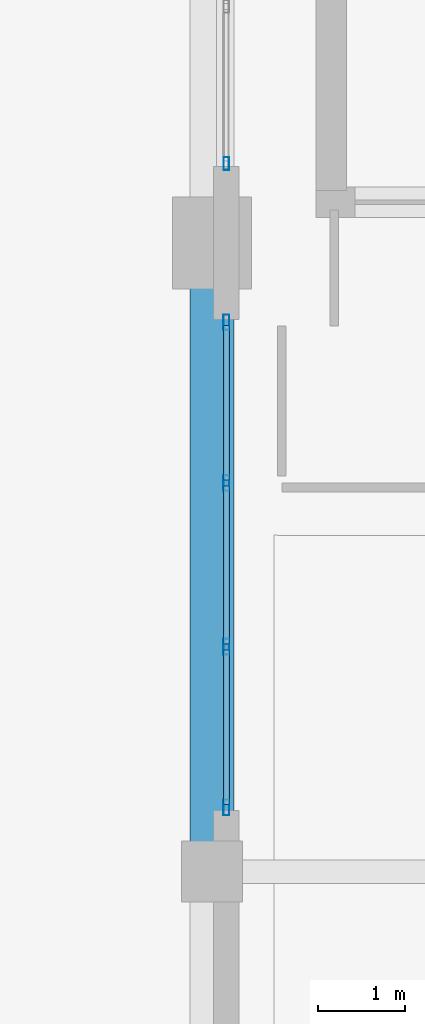
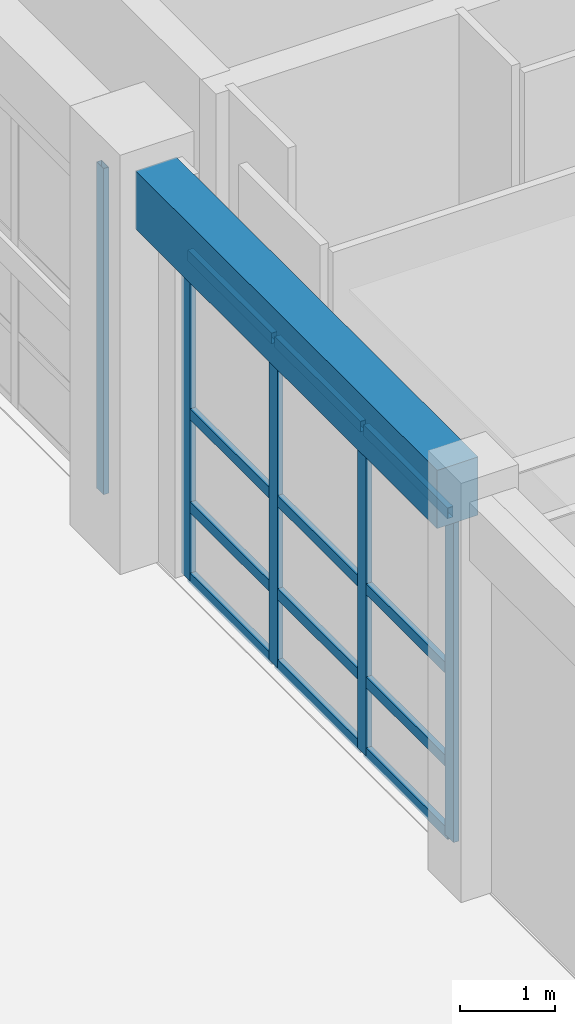
# One storey, part 53 of 148: 17 members, 1 beam, 2 elements without a shape of their own.
"""IFC4 building model written with IfcOpenShell, lengths in metres."""

from ifc_helpers import new_model, si_unit, direction, frame, origin, origin_2d, place, context, subcontext, project, spatial, rectangle, hollow_rectangle, extrude, material, layer, layer_set, material_profile, profile_set, type_object, element, aggregate, save


model = new_model("IFC4")

# Units and contexts
model_context = context("Model", 3, precision=1e-05, world=origin(), true_north=direction((0.0, 1.0)))
body_context = subcontext(model_context, "Body", "Model", "MODEL_VIEW")
ifc_project = project(units=[si_unit("LENGTHUNIT", "METRE"), si_unit("AREAUNIT", "SQUARE_METRE"), si_unit("VOLUMEUNIT", "CUBIC_METRE"), si_unit("PLANEANGLEUNIT", "RADIAN"), si_unit("MASSUNIT", "GRAM", prefix="KILO")], contexts=[model_context])

# Site, building, storey
site_placement = place(None, origin())
site = spatial("IfcSite", under=ifc_project, at=site_placement, CompositionType="ELEMENT")
building_placement = place(site_placement, origin())
building = spatial("IfcBuilding", under=site, at=building_placement, Name="Quendrovan Civic Courthouse", CompositionType="ELEMENT")
storey_placement = place(building_placement, origin())
storey = spatial("IfcBuildingStorey", under=building, at=storey_placement, Name="L01", CompositionType="ELEMENT", Elevation=0.0)

# Beam
ifc_material_1 = material(Name="Concrete C40/50", Category="concrete")
ifc_material_profile_1 = material_profile(ifc_material_1, rectangle(XDim=0.5, YDim=0.75, at=origin_2d()), Name="RC-BM-500x750")
ifc_profile_set_1 = profile_set([ifc_material_profile_1], Name="Concrete C40/50")
beam_type = type_object("IfcBeamType", Name="BM-RC750", PredefinedType="SPANDREL", material=ifc_profile_set_1)
beam_placement = place(storey_placement, frame((33.60009765625, 87.929931640625, 4.7451171875), z_axis=(0.0, 1.0, 0.0), x_axis=(-1.0, 0.0, 0.0)))
element("IfcBeam", 1, at=beam_placement, inside=storey, type_object=beam_type, Name="L01 Girder Y0407", PredefinedType="SPANDREL", context=body_context, shape_type="SweptSolid", body=[
    extrude(rectangle(XDim=0.5, YDim=0.75, at=origin_2d()), origin(), (0.0, 0.0, 1.0), 6.364990234375),
])

# Curtain wall, members
ifc_material_2 = material(Name="Bronze anodised aluminium and low-E glass", Category="aluminium")
ifc_layer_1 = layer(ifc_material_2, 0.179931640625, Name="Bronze anodised aluminium and low-E glass")
ifc_layer_set_1 = layer_set([ifc_layer_1], Name="Bronze anodised aluminium and low-E glass")
curtain_wall_type_1 = type_object("IfcCurtainWallType", Name="CW-U56x42", PredefinedType="USERDEFINED", material=ifc_layer_set_1)
curtain_wall_1_placement = place(storey_placement, origin())
curtain_wall_1 = element("IfcCurtainWall", 2, at=curtain_wall_1_placement, inside=storey, type_object=curtain_wall_type_1, Name="L01 Unitised Hurricane Curtain Wall CW-022", ObjectType="UNITISED CURTAIN WALL", PredefinedType="USERDEFINED")
ifc_material_3 = material(Name="Bronze anodised aluminium", Category="aluminium")
ifc_material_profile_2 = material_profile(ifc_material_3, hollow_rectangle(XDim=0.070068359375, YDim=0.179931640625, WallThickness=0.00390625, at=origin_2d()), Name="CW-MULL-70x180")
ifc_profile_set_2 = profile_set([ifc_material_profile_2], Name="Bronze anodised aluminium")
member_type_1 = type_object("IfcMemberType", Name="CW-MULL-A", PredefinedType="MULLION", material=ifc_profile_set_2)
member_1_placement = place(storey_placement, frame((33.764892578125, 88.3349609375, 0.0), z_axis=(0.0, 0.0, 1.0), x_axis=(-1.0, 0.0, 0.0)))
member_1 = element("IfcMember", 3, at=member_1_placement, type_object=member_type_1, Name="CW-022 mullion 1", PredefinedType="MULLION", context=body_context, shape_type="SweptSolid", body=[
    extrude(hollow_rectangle(XDim=0.070068359375, YDim=0.179931640625, WallThickness=0.00390625, at=origin_2d()), origin(), (0.0, 0.0, 1.0), 4.199951171875),
])
member_2_placement = place(storey_placement, frame((33.764892578125, 90.175048828125, 0.0), z_axis=(0.0, 0.0, 1.0), x_axis=(-1.0, 0.0, 0.0)))
member_2 = element("IfcMember", 4, at=member_2_placement, type_object=member_type_1, Name="CW-022 mullion 2", PredefinedType="MULLION", context=body_context, shape_type="SweptSolid", body=[
    extrude(hollow_rectangle(XDim=0.070068359375, YDim=0.179931640625, WallThickness=0.00390625, at=origin_2d()), origin(), (0.0, 0.0, 1.0), 4.199951171875),
])
member_3_placement = place(storey_placement, frame((33.764892578125, 92.050048828125, 0.0), z_axis=(0.0, 0.0, 1.0), x_axis=(-1.0, 0.0, 0.0)))
member_3 = element("IfcMember", 5, at=member_3_placement, type_object=member_type_1, Name="CW-022 mullion 3", PredefinedType="MULLION", context=body_context, shape_type="SweptSolid", body=[
    extrude(hollow_rectangle(XDim=0.070068359375, YDim=0.179931640625, WallThickness=0.00390625, at=origin_2d()), origin(), (0.0, 0.0, 1.0), 4.199951171875),
])
member_4_placement = place(storey_placement, frame((33.764892578125, 93.889892578125, 0.0), z_axis=(0.0, 0.0, 1.0), x_axis=(-1.0, 0.0, 0.0)))
member_4 = element("IfcMember", 6, at=member_4_placement, type_object=member_type_1, Name="CW-022 mullion 4", PredefinedType="MULLION", context=body_context, shape_type="SweptSolid", body=[
    extrude(hollow_rectangle(XDim=0.070068359375, YDim=0.179931640625, WallThickness=0.00390625, at=origin_2d()), origin(), (0.0, 0.0, 1.0), 4.199951171875),
])

# Curtain wall, member
ifc_layer_2 = layer(ifc_material_2, 0.179931640625, Name="Bronze anodised aluminium and low-E glass")
ifc_layer_set_2 = layer_set([ifc_layer_2], Name="Bronze anodised aluminium and low-E glass")
curtain_wall_type_2 = type_object("IfcCurtainWallType", Name="CW-U55x42", PredefinedType="USERDEFINED", material=ifc_layer_set_2)
curtain_wall_2_placement = place(storey_placement, origin())
curtain_wall_2 = element("IfcCurtainWall", 7, at=curtain_wall_2_placement, inside=storey, type_object=curtain_wall_type_2, Name="L01 Unitised Hurricane Curtain Wall CW-023", ObjectType="UNITISED CURTAIN WALL", PredefinedType="USERDEFINED")
ifc_material_profile_3 = material_profile(ifc_material_3, hollow_rectangle(XDim=0.06494140625, YDim=0.14990234375, WallThickness=0.00390625, at=origin_2d()), Name="CW-MULL-65x150")
ifc_profile_set_3 = profile_set([ifc_material_profile_3], Name="Bronze anodised aluminium")
member_type_2 = type_object("IfcMemberType", Name="CW-MULL-B", PredefinedType="MULLION", material=ifc_profile_set_3)
member_5_placement = place(storey_placement, frame((33.764892578125, 95.70751953125, 0.0), z_axis=(0.0, 0.0, 1.0), x_axis=(-1.0, 0.0, 0.0)))
member_5 = element("IfcMember", 8, at=member_5_placement, type_object=member_type_2, Name="CW-023 mullion 1", PredefinedType="MULLION", context=body_context, shape_type="SweptSolid", body=[
    extrude(hollow_rectangle(XDim=0.06494140625, YDim=0.14990234375, WallThickness=0.00390625, at=origin_2d()), origin(), (0.0, 0.0, 1.0), 4.199951171875),
])
aggregate(curtain_wall_2, [member_5])

# Member
ifc_material_profile_4 = material_profile(ifc_material_3, hollow_rectangle(XDim=0.070068359375, YDim=0.139892578125, WallThickness=0.00390625, at=origin_2d()), Name="CW-TRAN-70x140")
ifc_profile_set_4 = profile_set([ifc_material_profile_4], Name="Bronze anodised aluminium")
member_type_3 = type_object("IfcMemberType", Name="CW-TRAN-A", PredefinedType="USERDEFINED", material=ifc_profile_set_4)
member_6_placement = place(storey_placement, frame((33.764892578125, 88.3701171875, 0.034912109375), z_axis=(0.0, 1.0, 0.0), x_axis=(-1.0, 0.0, 0.0)))
member_6 = element("IfcMember", 9, at=member_6_placement, type_object=member_type_3, Name="CW-022 transom 1.1", ObjectType="TRANSOM", PredefinedType="USERDEFINED", context=body_context, shape_type="SweptSolid", body=[
    extrude(hollow_rectangle(XDim=0.070068359375, YDim=0.139892578125, WallThickness=0.00390625, at=origin_2d()), origin(), (0.0, 0.0, 1.0), 1.769775390625),
])

member_7_placement = place(storey_placement, frame((33.764892578125, 88.3701171875, 0.949951171875), z_axis=(0.0, 1.0, 0.0), x_axis=(-1.0, 0.0, 0.0)))
member_7 = element("IfcMember", 10, at=member_7_placement, type_object=member_type_3, Name="CW-022 transom 1.2", ObjectType="TRANSOM", PredefinedType="USERDEFINED", context=body_context, shape_type="SweptSolid", body=[
    extrude(hollow_rectangle(XDim=0.070068359375, YDim=0.139892578125, WallThickness=0.00390625, at=origin_2d()), origin(), (0.0, 0.0, 1.0), 1.769775390625),
])

member_8_placement = place(storey_placement, frame((33.764892578125, 88.3701171875, 2.14990234375), z_axis=(0.0, 1.0, 0.0), x_axis=(-1.0, 0.0, 0.0)))
member_8 = element("IfcMember", 11, at=member_8_placement, type_object=member_type_3, Name="CW-022 transom 1.3", ObjectType="TRANSOM", PredefinedType="USERDEFINED", context=body_context, shape_type="SweptSolid", body=[
    extrude(hollow_rectangle(XDim=0.070068359375, YDim=0.139892578125, WallThickness=0.00390625, at=origin_2d()), origin(), (0.0, 0.0, 1.0), 1.769775390625),
])

member_9_placement = place(storey_placement, frame((33.764892578125, 88.3701171875, 4.1650390625), z_axis=(0.0, 1.0, 0.0), x_axis=(-1.0, 0.0, 0.0)))
member_9 = element("IfcMember", 12, at=member_9_placement, type_object=member_type_3, Name="CW-022 transom 1.4", ObjectType="TRANSOM", PredefinedType="USERDEFINED", context=body_context, shape_type="SweptSolid", body=[
    extrude(hollow_rectangle(XDim=0.070068359375, YDim=0.139892578125, WallThickness=0.00390625, at=origin_2d()), origin(), (0.0, 0.0, 1.0), 1.769775390625),
])

member_10_placement = place(storey_placement, frame((33.764892578125, 90.2099609375, 0.034912109375), z_axis=(0.0, 1.0, 0.0), x_axis=(-1.0, 0.0, 0.0)))
member_10 = element("IfcMember", 13, at=member_10_placement, type_object=member_type_3, Name="CW-022 transom 2.1", ObjectType="TRANSOM", PredefinedType="USERDEFINED", context=body_context, shape_type="SweptSolid", body=[
    extrude(hollow_rectangle(XDim=0.070068359375, YDim=0.139892578125, WallThickness=0.00390625, at=origin_2d()), origin(), (0.0, 0.0, 1.0), 1.804931640625),
])

member_11_placement = place(storey_placement, frame((33.764892578125, 90.2099609375, 0.949951171875), z_axis=(0.0, 1.0, 0.0), x_axis=(-1.0, 0.0, 0.0)))
member_11 = element("IfcMember", 14, at=member_11_placement, type_object=member_type_3, Name="CW-022 transom 2.2", ObjectType="TRANSOM", PredefinedType="USERDEFINED", context=body_context, shape_type="SweptSolid", body=[
    extrude(hollow_rectangle(XDim=0.070068359375, YDim=0.139892578125, WallThickness=0.00390625, at=origin_2d()), origin(), (0.0, 0.0, 1.0), 1.804931640625),
])

member_12_placement = place(storey_placement, frame((33.764892578125, 90.2099609375, 2.14990234375), z_axis=(0.0, 1.0, 0.0), x_axis=(-1.0, 0.0, 0.0)))
member_12 = element("IfcMember", 15, at=member_12_placement, type_object=member_type_3, Name="CW-022 transom 2.3", ObjectType="TRANSOM", PredefinedType="USERDEFINED", context=body_context, shape_type="SweptSolid", body=[
    extrude(hollow_rectangle(XDim=0.070068359375, YDim=0.139892578125, WallThickness=0.00390625, at=origin_2d()), origin(), (0.0, 0.0, 1.0), 1.804931640625),
])

member_13_placement = place(storey_placement, frame((33.764892578125, 90.2099609375, 4.1650390625), z_axis=(0.0, 1.0, 0.0), x_axis=(-1.0, 0.0, 0.0)))
member_13 = element("IfcMember", 16, at=member_13_placement, type_object=member_type_3, Name="CW-022 transom 2.4", ObjectType="TRANSOM", PredefinedType="USERDEFINED", context=body_context, shape_type="SweptSolid", body=[
    extrude(hollow_rectangle(XDim=0.070068359375, YDim=0.139892578125, WallThickness=0.00390625, at=origin_2d()), origin(), (0.0, 0.0, 1.0), 1.804931640625),
])

member_14_placement = place(storey_placement, frame((33.764892578125, 92.0849609375, 0.034912109375), z_axis=(0.0, 1.0, 0.0), x_axis=(-1.0, 0.0, 0.0)))
member_14 = element("IfcMember", 17, at=member_14_placement, type_object=member_type_3, Name="CW-022 transom 3.1", ObjectType="TRANSOM", PredefinedType="USERDEFINED", context=body_context, shape_type="SweptSolid", body=[
    extrude(hollow_rectangle(XDim=0.070068359375, YDim=0.139892578125, WallThickness=0.00390625, at=origin_2d()), origin(), (0.0, 0.0, 1.0), 1.77001953125),
])

member_15_placement = place(storey_placement, frame((33.764892578125, 92.0849609375, 0.949951171875), z_axis=(0.0, 1.0, 0.0), x_axis=(-1.0, 0.0, 0.0)))
member_15 = element("IfcMember", 18, at=member_15_placement, type_object=member_type_3, Name="CW-022 transom 3.2", ObjectType="TRANSOM", PredefinedType="USERDEFINED", context=body_context, shape_type="SweptSolid", body=[
    extrude(hollow_rectangle(XDim=0.070068359375, YDim=0.139892578125, WallThickness=0.00390625, at=origin_2d()), origin(), (0.0, 0.0, 1.0), 1.77001953125),
])

member_16_placement = place(storey_placement, frame((33.764892578125, 92.0849609375, 2.14990234375), z_axis=(0.0, 1.0, 0.0), x_axis=(-1.0, 0.0, 0.0)))
member_16 = element("IfcMember", 19, at=member_16_placement, type_object=member_type_3, Name="CW-022 transom 3.3", ObjectType="TRANSOM", PredefinedType="USERDEFINED", context=body_context, shape_type="SweptSolid", body=[
    extrude(hollow_rectangle(XDim=0.070068359375, YDim=0.139892578125, WallThickness=0.00390625, at=origin_2d()), origin(), (0.0, 0.0, 1.0), 1.77001953125),
])

member_17_placement = place(storey_placement, frame((33.764892578125, 92.0849609375, 4.1650390625), z_axis=(0.0, 1.0, 0.0), x_axis=(-1.0, 0.0, 0.0)))
member_17 = element("IfcMember", 20, at=member_17_placement, type_object=member_type_3, Name="CW-022 transom 3.4", ObjectType="TRANSOM", PredefinedType="USERDEFINED", context=body_context, shape_type="SweptSolid", body=[
    extrude(hollow_rectangle(XDim=0.070068359375, YDim=0.139892578125, WallThickness=0.00390625, at=origin_2d()), origin(), (0.0, 0.0, 1.0), 1.77001953125),
])

aggregate(curtain_wall_1, [member_1, member_2, member_3, member_4, member_6, member_7, member_8, member_9, member_10, member_11, member_12, member_13, member_14, member_15, member_16, member_17])

save(model, "model.ifc")
